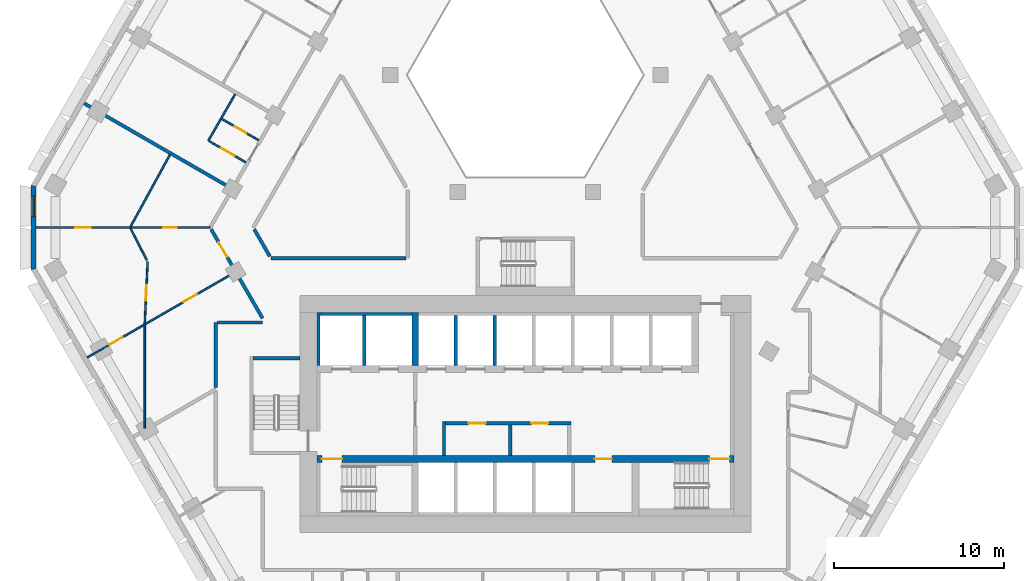
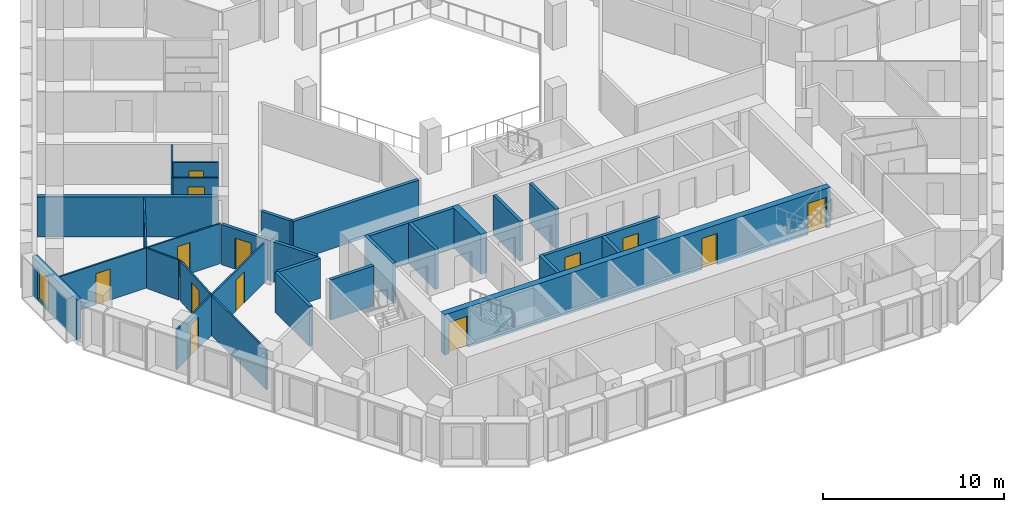
# One storey, part 4 of 15: 27 walls, 13 doors, 1 window, 14 openings.
"""IFC4 building model written with IfcOpenShell, lengths in metres."""

from ifc_helpers import new_model, si_unit, direction, frame, frame_2d, origin, place, context, subcontext, project, spatial, polyline, rectangle, outline, extrude, material, layer, layer_set, type_object, element, fill, save


model = new_model("IFC4")

# Units and contexts
model_context = context("Model", 3, precision=1e-05, world=origin(), true_north=direction((0.0, 1.0)))
body_context = subcontext(model_context, "Body", "Model", "MODEL_VIEW")
ifc_project = project(units=[si_unit("LENGTHUNIT", "METRE"), si_unit("AREAUNIT", "SQUARE_METRE"), si_unit("VOLUMEUNIT", "CUBIC_METRE"), si_unit("PLANEANGLEUNIT", "RADIAN"), si_unit("MASSUNIT", "GRAM", prefix="KILO")], contexts=[model_context])

# Site, building, storey
site_placement = place(None, origin())
site = spatial("IfcSite", under=ifc_project, at=site_placement, CompositionType="ELEMENT")
building_placement = place(site_placement, origin())
building = spatial("IfcBuilding", under=site, at=building_placement, Name="Beryl Residences", CompositionType="ELEMENT")
storey_placement = place(building_placement, frame((0.0, 0.0, 72.0)))
storey = spatial("IfcBuildingStorey", under=building, at=storey_placement, Name="L21", CompositionType="ELEMENT", Elevation=72.0)

# Wall, opening, window
ifc_material_1 = material(Name="Composite metal panel with mineral wool insulation")
ifc_layer_1 = layer(ifc_material_1, 0.300048828125)
ifc_layer_set_1 = layer_set([ifc_layer_1], Name="ES1 pale metal composite panel wall 300 mm")
wall_type_1 = type_object("IfcWallType", Name="ES1 pale metal composite panel wall 300 mm", PredefinedType="SOLIDWALL", material=ifc_layer_set_1)
wall_1_placement = place(storey_placement, frame((-29.007080078125, 1.5, 0.0), z_axis=(0.0, 0.0, 1.0), x_axis=(0.0, -1.0, 0.0)))
wall_1 = element("IfcWall", 1, at=wall_1_placement, inside=storey, type_object=wall_type_1, Name="ES1 external wall L21 NW-SW", PredefinedType="SOLIDWALL", context=body_context, shape_type="SweptSolid", body=[
    extrude(outline(polyline([(0.0, -0.14990234375), (5.0, -0.14990234375), (4.919677734375, 0.14990234375), (0.080322265625, 0.14990234375), (0.0, -0.14990234375)])), origin(), (0.0, 0.0, 1.0), 2.699951171875),
])
opening_1_placement = place(wall_1_placement, frame((0.64990234375, 0.0, 0.14990234375)))
opening_1 = element("IfcOpeningElement", 2, at=opening_1_placement, cuts=wall_1, Name="Opening W2", PredefinedType="OPENING", context=body_context, shape_type="SweptSolid", body=[
    extrude(rectangle(XDim=1.199951171875, YDim=2.10009765625, at=frame_2d((0.60009765625, 1.050048828125))), frame((0.0, 0.159912109375, 0.0), z_axis=(0.0, -1.0, 0.0), x_axis=(1.0, 0.0, 0.0)), (0.0, 0.0, 1.0), 0.320068359375),
])
ifc_material_2 = material(Name="Aluminium and clear glass", Category="aluminium")
window_type = type_object("IfcWindowType", Name="W2 chamfer window 1200 x 2100 mm", PartitioningType="SINGLE_PANEL", PredefinedType="WINDOW", material=ifc_material_2)
window_placement = place(opening_1_placement, origin())
window = element("IfcWindow", 3, at=window_placement, inside=storey, type_object=window_type, Name="W2 window L21 NW-SW 1", OverallHeight=2.10009765625, OverallWidth=1.199951171875, PartitioningType="SINGLE_PANEL", PredefinedType="WINDOW", context=body_context, shape_type="SweptSolid", body=[
    extrude(rectangle(XDim=1.199951171875, YDim=2.10009765625, at=frame_2d((0.60009765625, 1.050048828125))), frame((0.0, 0.030029296875, 0.0), z_axis=(0.0, -1.0, 0.0), x_axis=(1.0, 0.0, 0.0)), (0.0, 0.0, 1.0), 0.06005859375),
])
fill(opening_1, window)

# Wall
ifc_material_3 = material(Name="Gypsum board partition on steel studs", Category="steel")
ifc_layer_2 = layer(ifc_material_3, 0.10009765625)
ifc_layer_set_2 = layer_set([ifc_layer_2], Name="PT1 partition 100 mm gypsum board on steel studs")
wall_type_2 = type_object("IfcWallType", Name="PT1 partition 100 mm gypsum board on steel studs", PredefinedType="PARTITIONING", material=ifc_layer_set_2)
wall_2_placement = place(storey_placement, frame((-23.2890625, -1.053955078125, 0.0), z_axis=(0.0, 0.0, 1.0), x_axis=(0.458226112305, -0.888835659726, 0.0)))
element("IfcWall", 4, at=wall_2_placement, inside=storey, type_object=wall_type_2, Name="Wall PT1 L21 009", PredefinedType="PARTITIONING", context=body_context, shape_type="SweptSolid", body=[
    extrude(rectangle(XDim=2.10400390625, YDim=0.10009765625, at=frame_2d((1.052001953125, 0.0))), origin(), (0.0, 0.0, 1.0), 2.699951171875),
])

# Wall, opening, door
wall_3_placement = place(storey_placement, frame((-17.905029296875, 5.406982421875, 0.0), z_axis=(0.0, 0.0, 1.0), x_axis=(0.866080321209, -0.499904868165, 0.0)))
wall_3 = element("IfcWall", 5, at=wall_3_placement, inside=storey, type_object=wall_type_2, Name="Wall PT1 L21 019", PredefinedType="PARTITIONING", context=body_context, shape_type="SweptSolid", body=[
    extrude(rectangle(XDim=2.51025390625, YDim=0.10009765625, at=frame_2d((1.255126953125, 0.0))), origin(), (0.0, 0.0, 1.0), 2.699951171875),
])
opening_2_placement = place(wall_3_placement, frame((0.8798828125, 0.0, 0.0)))
opening_2 = element("IfcOpeningElement", 6, at=opening_2_placement, cuts=wall_3, Name="Opening D0839", PredefinedType="OPENING", context=body_context, shape_type="SweptSolid", body=[
    extrude(rectangle(XDim=0.800048828125, YDim=2.10009765625, at=frame_2d((0.39990234375, 1.050048828125))), frame((0.0, 0.06005859375, 0.0), z_axis=(0.0, -1.0, 0.0), x_axis=(1.0, 0.0, 0.0)), (0.0, 0.0, 1.0), 0.1201171875),
])
ifc_material_4 = material(Name="Timber door leaf", Category="wood")
door_type_1 = type_object("IfcDoorType", Name="D3 bathroom door 800 x 2100 mm", OperationType="SINGLE_SWING_LEFT", PredefinedType="DOOR", material=ifc_material_4)
door_1_placement = place(opening_2_placement, origin())
door_1 = element("IfcDoor", 7, at=door_1_placement, inside=storey, type_object=door_type_1, Name="Door D0839 L21 001", OperationType="SINGLE_SWING_LEFT", OverallHeight=2.10009765625, OverallWidth=0.800048828125, PredefinedType="DOOR", context=body_context, shape_type="SweptSolid", body=[
    extrude(rectangle(XDim=0.800048828125, YDim=2.10009765625, at=frame_2d((0.39990234375, 1.050048828125))), frame((0.0, 0.02490234375, 0.0), z_axis=(0.0, -1.0, 0.0), x_axis=(1.0, 0.0, 0.0)), (0.0, 0.0, 1.0), 0.050048828125),
])
fill(opening_2, door_1)

wall_4_placement = place(storey_placement, frame((-18.657958984375, 4.10205078125, 0.0), z_axis=(0.0, 0.0, 1.0), x_axis=(0.865916579361, -0.500188442078, 0.0)))
wall_4 = element("IfcWall", 8, at=wall_4_placement, inside=storey, type_object=wall_type_2, Name="Wall PT1 L21 021", PredefinedType="PARTITIONING", context=body_context, shape_type="SweptSolid", body=[
    extrude(rectangle(XDim=2.50927734375, YDim=0.10009765625, at=frame_2d((1.254638671875, 0.0))), origin(), (0.0, 0.0, 1.0), 2.699951171875),
])
opening_3_placement = place(wall_4_placement, frame((0.8291015625, 0.0, 0.0)))
opening_3 = element("IfcOpeningElement", 9, at=opening_3_placement, cuts=wall_4, Name="Opening D0838", PredefinedType="OPENING", context=body_context, shape_type="SweptSolid", body=[
    extrude(rectangle(XDim=0.89990234375, YDim=2.10009765625, at=frame_2d((0.449951171875, 1.050048828125))), frame((0.0, 0.06005859375, 0.0), z_axis=(0.0, -1.0, 0.0), x_axis=(1.0, 0.0, 0.0)), (0.0, 0.0, 1.0), 0.1201171875),
])
ifc_material_5 = material(Name="Timber door leaf", Category="wood")
door_type_2 = type_object("IfcDoorType", Name="D2 room door 900 x 2100 mm", OperationType="SINGLE_SWING_LEFT", PredefinedType="DOOR", material=ifc_material_5)
door_2_placement = place(opening_3_placement, origin())
door_2 = element("IfcDoor", 10, at=door_2_placement, inside=storey, type_object=door_type_2, Name="Door D0838 L21 001", OperationType="SINGLE_SWING_RIGHT", OverallHeight=2.10009765625, OverallWidth=0.89990234375, PredefinedType="DOOR", context=body_context, shape_type="SweptSolid", body=[
    extrude(rectangle(XDim=0.89990234375, YDim=2.10009765625, at=frame_2d((0.449951171875, 1.050048828125))), frame((0.0, 0.02490234375, 0.0), z_axis=(0.0, -1.0, 0.0), x_axis=(1.0, 0.0, 0.0)), (0.0, 0.0, 1.0), 0.050048828125),
])
fill(opening_3, door_2)

# Wall, openings, doors
wall_5_placement = place(storey_placement, frame((-28.85693359375, -1.0009765625, 0.0), z_axis=(0.0, 0.0, 1.0), x_axis=(1.0, 0.0, 0.0)))
wall_5 = element("IfcWall", 11, at=wall_5_placement, inside=storey, type_object=wall_type_2, Name="Wall PT1 L21 027", PredefinedType="PARTITIONING", context=body_context, shape_type="SweptSolid", body=[
    extrude(rectangle(XDim=10.265869140625, YDim=0.10009765625, at=frame_2d((5.1328125, 0.0))), origin(), (0.0, 0.0, 1.0), 2.699951171875),
])
opening_4_placement = place(wall_5_placement, frame((7.5029296875, 0.0, 0.0)))
opening_4 = element("IfcOpeningElement", 12, at=opening_4_placement, cuts=wall_5, Name="Opening D0842", PredefinedType="OPENING", context=body_context, shape_type="SweptSolid", body=[
    extrude(rectangle(XDim=0.800048828125, YDim=2.10009765625, at=frame_2d((0.39990234375, 1.050048828125))), frame((0.0, 0.06005859375, 0.0), z_axis=(0.0, -1.0, 0.0), x_axis=(1.0, 0.0, 0.0)), (0.0, 0.0, 1.0), 0.1201171875),
])
opening_5_placement = place(wall_5_placement, frame((2.320068359375, 0.0, 0.0)))
opening_5 = element("IfcOpeningElement", 13, at=opening_5_placement, cuts=wall_5, Name="Opening D0844", PredefinedType="OPENING", context=body_context, shape_type="SweptSolid", body=[
    extrude(rectangle(XDim=0.89990234375, YDim=2.10009765625, at=frame_2d((0.449951171875, 1.050048828125))), frame((0.0, 0.06005859375, 0.0), z_axis=(0.0, -1.0, 0.0), x_axis=(1.0, 0.0, 0.0)), (0.0, 0.0, 1.0), 0.1201171875),
])
door_3_placement = place(opening_5_placement, origin())
door_3 = element("IfcDoor", 14, at=door_3_placement, inside=storey, type_object=door_type_2, Name="Door D0844 L21 001", OperationType="SINGLE_SWING_RIGHT", OverallHeight=2.10009765625, OverallWidth=0.89990234375, PredefinedType="DOOR", context=body_context, shape_type="SweptSolid", body=[
    extrude(rectangle(XDim=0.89990234375, YDim=2.10009765625, at=frame_2d((0.449951171875, 1.050048828125))), frame((0.0, 0.02490234375, 0.0), z_axis=(0.0, -1.0, 0.0), x_axis=(1.0, 0.0, 0.0)), (0.0, 0.0, 1.0), 0.050048828125),
])
fill(opening_5, door_3)
door_4_placement = place(opening_4_placement, origin())
door_4 = element("IfcDoor", 15, at=door_4_placement, inside=storey, type_object=door_type_1, Name="Door D0842 L21 001", OperationType="SINGLE_SWING_RIGHT", OverallHeight=2.10009765625, OverallWidth=0.800048828125, PredefinedType="DOOR", context=body_context, shape_type="SweptSolid", body=[
    extrude(rectangle(XDim=0.800048828125, YDim=2.10009765625, at=frame_2d((0.39990234375, 1.050048828125))), frame((0.0, 0.02490234375, 0.0), z_axis=(0.0, -1.0, 0.0), x_axis=(1.0, 0.0, 0.0)), (0.0, 0.0, 1.0), 0.050048828125),
])
fill(opening_4, door_4)

# Walls
wall_6_placement = place(storey_placement, frame((-18.700927734375, 4.1279296875, 0.0), z_axis=(0.0, 0.0, 1.0), x_axis=(0.500023029176, 0.866012107475, 0.0)))
element("IfcWall", 16, at=wall_6_placement, inside=storey, type_object=wall_type_2, Name="Wall PT1 L21 035", PredefinedType="PARTITIONING", context=body_context, shape_type="SweptSolid", body=[
    extrude(rectangle(XDim=3.163818359375, YDim=0.10009765625, at=frame_2d((1.58203125, 0.0))), origin(), (0.0, 0.0, 1.0), 2.699951171875),
])
wall_7_placement = place(storey_placement, frame((-23.2890625, -0.950927734375, 0.0), z_axis=(0.0, 0.0, 1.0), x_axis=(0.481164463081, 0.876630343684, 0.0)))
element("IfcWall", 17, at=wall_7_placement, inside=storey, type_object=wall_type_2, Name="Wall PT1 L21 039", PredefinedType="PARTITIONING", context=body_context, shape_type="SweptSolid", body=[
    extrude(rectangle(XDim=4.83447265625, YDim=0.10009765625, at=frame_2d((2.417236328125, 0.0))), origin(), (0.0, 0.0, 1.0), 2.699951171875),
])

# Wall, opening, door
wall_8_placement = place(storey_placement, frame((-22.447021484375, -6.65087890625, 0.0), z_axis=(0.0, 0.0, 1.0), x_axis=(0.046122262393, 0.998935802197, 0.0)))
wall_8 = element("IfcWall", 18, at=wall_8_placement, inside=storey, type_object=wall_type_2, Name="Wall PT1 L21 045", PredefinedType="PARTITIONING", context=body_context, shape_type="SweptSolid", body=[
    extrude(rectangle(XDim=3.641845703125, YDim=0.10009765625, at=frame_2d((1.82080078125, 0.0))), origin(), (0.0, 0.0, 1.0), 2.699951171875),
])
opening_6_placement = place(wall_8_placement, frame((1.341064453125, 0.0, 0.0)))
opening_6 = element("IfcOpeningElement", 19, at=opening_6_placement, cuts=wall_8, Name="Opening D0843", PredefinedType="OPENING", context=body_context, shape_type="SweptSolid", body=[
    extrude(rectangle(XDim=0.89990234375, YDim=2.10009765625, at=frame_2d((0.449951171875, 1.050048828125))), frame((0.0, 0.06005859375, 0.0), z_axis=(0.0, -1.0, 0.0), x_axis=(1.0, 0.0, 0.0)), (0.0, 0.0, 1.0), 0.1201171875),
])
door_5_placement = place(opening_6_placement, origin())
door_5 = element("IfcDoor", 20, at=door_5_placement, inside=storey, type_object=door_type_2, Name="Door D0843 L21 001", OperationType="SINGLE_SWING_LEFT", OverallHeight=2.10009765625, OverallWidth=0.89990234375, PredefinedType="DOOR", context=body_context, shape_type="SweptSolid", body=[
    extrude(rectangle(XDim=0.89990234375, YDim=2.10009765625, at=frame_2d((0.449951171875, 1.050048828125))), frame((0.0, 0.02490234375, 0.0), z_axis=(0.0, -1.0, 0.0), x_axis=(1.0, 0.0, 0.0)), (0.0, 0.0, 1.0), 0.050048828125),
])
fill(opening_6, door_5)

# Wall
wall_9_placement = place(storey_placement, frame((-22.449951171875, -12.845947265625, 0.0), z_axis=(0.0, 0.0, 1.0), x_axis=(0.0, 1.0, 0.0)))
element("IfcWall", 21, at=wall_9_placement, inside=storey, type_object=wall_type_2, Name="Wall PT1 L21 059", PredefinedType="PARTITIONING", context=body_context, shape_type="SweptSolid", body=[
    extrude(rectangle(XDim=6.077880859375, YDim=0.10009765625, at=frame_2d((3.0390625, 0.0))), origin(), (0.0, 0.0, 1.0), 2.699951171875),
])

# Wall, openings, doors
wall_10_placement = place(storey_placement, frame((-25.830078125, -8.662109375, 0.0), z_axis=(0.0, 0.0, 1.0), x_axis=(0.866022959057, 0.500004234368, 0.0)))
wall_10 = element("IfcWall", 22, at=wall_10_placement, inside=storey, type_object=wall_type_2, Name="Wall PT1 L21 065", PredefinedType="PARTITIONING", context=body_context, shape_type="SweptSolid", body=[
    extrude(rectangle(XDim=10.0, YDim=0.10009765625, at=frame_2d((5.0, 0.0))), origin(), (0.0, 0.0, 1.0), 2.699951171875),
])
opening_7_placement = place(wall_10_placement, frame((6.551025390625, 0.0, 0.0)))
opening_7 = element("IfcOpeningElement", 23, at=opening_7_placement, cuts=wall_10, Name="Opening D0841", PredefinedType="OPENING", context=body_context, shape_type="SweptSolid", body=[
    extrude(rectangle(XDim=0.89990234375, YDim=2.10009765625, at=frame_2d((0.449951171875, 1.050048828125))), frame((0.0, 0.06005859375, 0.0), z_axis=(0.0, -1.0, 0.0), x_axis=(1.0, 0.0, 0.0)), (0.0, 0.0, 1.0), 0.1201171875),
])
opening_8_placement = place(wall_10_placement, frame((1.5009765625, 0.0, 0.0)))
opening_8 = element("IfcOpeningElement", 24, at=opening_8_placement, cuts=wall_10, Name="Opening D0845", PredefinedType="OPENING", context=body_context, shape_type="SweptSolid", body=[
    extrude(rectangle(XDim=0.89990234375, YDim=2.10009765625, at=frame_2d((0.449951171875, 1.050048828125))), frame((0.0, 0.06005859375, 0.0), z_axis=(0.0, -1.0, 0.0), x_axis=(1.0, 0.0, 0.0)), (0.0, 0.0, 1.0), 0.1201171875),
])
door_6_placement = place(opening_7_placement, origin())
door_6 = element("IfcDoor", 25, at=door_6_placement, inside=storey, type_object=door_type_2, Name="Door D0841 L21 001", OperationType="SINGLE_SWING_LEFT", OverallHeight=2.10009765625, OverallWidth=0.89990234375, PredefinedType="DOOR", context=body_context, shape_type="SweptSolid", body=[
    extrude(rectangle(XDim=0.89990234375, YDim=2.10009765625, at=frame_2d((0.449951171875, 1.050048828125))), frame((0.0, 0.02490234375, 0.0), z_axis=(0.0, -1.0, 0.0), x_axis=(1.0, 0.0, 0.0)), (0.0, 0.0, 1.0), 0.050048828125),
])
fill(opening_7, door_6)
door_7_placement = place(opening_8_placement, origin())
door_7 = element("IfcDoor", 26, at=door_7_placement, inside=storey, type_object=door_type_2, Name="Door D0845 L21 001", OperationType="SINGLE_SWING_LEFT", OverallHeight=2.10009765625, OverallWidth=0.89990234375, PredefinedType="DOOR", context=body_context, shape_type="SweptSolid", body=[
    extrude(rectangle(XDim=0.89990234375, YDim=2.10009765625, at=frame_2d((0.449951171875, 1.050048828125))), frame((0.0, 0.02490234375, 0.0), z_axis=(0.0, -1.0, 0.0), x_axis=(1.0, 0.0, 0.0)), (0.0, 0.0, 1.0), 0.050048828125),
])
fill(opening_8, door_7)

# Wall
ifc_material_6 = material(Name="Concrete masonry", Category="masonry")
ifc_layer_3 = layer(ifc_material_6, 0.199951171875)
ifc_layer_set_3 = layer_set([ifc_layer_3], Name="PT13 lobby wall 200 mm")
wall_type_3 = type_object("IfcWallType", Name="PT13 lobby wall 200 mm", PredefinedType="PARTITIONING", material=ifc_layer_set_3)
wall_11_placement = place(storey_placement, frame((-4.800048828125, -14.449951171875, 0.0), z_axis=(0.0, 0.0, 1.0), x_axis=(0.0, 1.0, 0.0)))
element("IfcWall", 27, at=wall_11_placement, inside=storey, type_object=wall_type_3, Name="Lobby wall 14", PredefinedType="PARTITIONING", context=body_context, shape_type="SweptSolid", body=[
    extrude(rectangle(XDim=2.0, YDim=0.199951171875, at=frame_2d((1.0, 0.0))), origin(), (0.0, 0.0, 1.0), 2.699951171875),
])

# Wall, openings, doors
wall_12_placement = place(storey_placement, frame((-4.699951171875, -12.550048828125, 0.0), z_axis=(0.0, 0.0, 1.0), x_axis=(1.0, 0.0, 0.0)))
wall_12 = element("IfcWall", 28, at=wall_12_placement, inside=storey, type_object=wall_type_3, Name="Lobby wall 15", PredefinedType="PARTITIONING", context=body_context, shape_type="SweptSolid", body=[
    extrude(rectangle(XDim=7.39990234375, YDim=0.199951171875, at=frame_2d((3.699951171875, 0.0))), origin(), (0.0, 0.0, 1.0), 2.699951171875),
])
opening_9_placement = place(wall_12_placement, frame((2.35009765625, 0.0, 0.0), z_axis=(0.0, 0.0, 1.0), x_axis=(-1.0, 0.0, 0.0)))
opening_9 = element("IfcOpeningElement", 29, at=opening_9_placement, cuts=wall_12, Name="Opening CD-D-A1", PredefinedType="OPENING", context=body_context, shape_type="SweptSolid", body=[
    extrude(rectangle(XDim=1.0, YDim=2.10009765625, at=frame_2d((0.5, 1.050048828125))), frame((0.0, 0.10986328125, 0.0), z_axis=(0.0, -1.0, 0.0), x_axis=(1.0, 0.0, 0.0)), (0.0, 0.0, 1.0), 0.219970703125),
])
opening_10_placement = place(wall_12_placement, frame((6.050048828125, 0.0, 0.0), z_axis=(0.0, 0.0, 1.0), x_axis=(-1.0, 0.0, 0.0)))
opening_10 = element("IfcOpeningElement", 30, at=opening_10_placement, cuts=wall_12, Name="Opening CD-D-A2", PredefinedType="OPENING", context=body_context, shape_type="SweptSolid", body=[
    extrude(rectangle(XDim=1.0, YDim=2.10009765625, at=frame_2d((0.5, 1.050048828125))), frame((0.0, 0.10986328125, 0.0), z_axis=(0.0, -1.0, 0.0), x_axis=(1.0, 0.0, 0.0)), (0.0, 0.0, 1.0), 0.219970703125),
])
ifc_material_7 = material(Name="Steel door leaf in steel frame", Category="steel")
door_type_3 = type_object("IfcDoorType", Name="D18 service room door 1000 x 2100 mm", OperationType="SINGLE_SWING_LEFT", PredefinedType="DOOR", material=ifc_material_7)
door_8_placement = place(opening_9_placement, origin())
door_8 = element("IfcDoor", 31, at=door_8_placement, inside=storey, type_object=door_type_3, Name="Door CD-D-A1 L21 001", OperationType="SINGLE_SWING_RIGHT", OverallHeight=2.10009765625, OverallWidth=1.0, PredefinedType="DOOR", context=body_context, shape_type="SweptSolid", body=[
    extrude(rectangle(XDim=1.0, YDim=2.10009765625, at=frame_2d((0.5, 1.050048828125))), frame((0.0, 0.02490234375, 0.0), z_axis=(0.0, -1.0, 0.0), x_axis=(1.0, 0.0, 0.0)), (0.0, 0.0, 1.0), 0.050048828125),
])
fill(opening_9, door_8)
door_9_placement = place(opening_10_placement, origin())
door_9 = element("IfcDoor", 32, at=door_9_placement, inside=storey, type_object=door_type_3, Name="Door CD-D-A2 L21 001", OperationType="SINGLE_SWING_LEFT", OverallHeight=2.10009765625, OverallWidth=1.0, PredefinedType="DOOR", context=body_context, shape_type="SweptSolid", body=[
    extrude(rectangle(XDim=1.0, YDim=2.10009765625, at=frame_2d((0.5, 1.050048828125))), frame((0.0, 0.02490234375, 0.0), z_axis=(0.0, -1.0, 0.0), x_axis=(1.0, 0.0, 0.0)), (0.0, 0.0, 1.0), 0.050048828125),
])
fill(opening_10, door_9)

# Walls
ifc_material_8 = material(Name="Acoustic double stud gypsum board wall")
ifc_layer_4 = layer(ifc_material_8, 0.199951171875)
ifc_layer_set_4 = layer_set([ifc_layer_4], Name="PT3 party wall 200 mm acoustic double stud")
wall_type_4 = type_object("IfcWallType", Name="PT3 party wall 200 mm acoustic double stud", PredefinedType="PARTITIONING", material=ifc_layer_set_4)
wall_13_placement = place(storey_placement, frame((-26.02490234375, 6.324951171875, 0.0), z_axis=(0.0, 0.0, 1.0), x_axis=(0.866041268327, -0.499972520799, 0.0)))
element("IfcWall", 33, at=wall_13_placement, inside=storey, type_object=wall_type_4, Name="Wall PT3 L21 003", PredefinedType="PARTITIONING", context=body_context, shape_type="SweptSolid", body=[
    extrude(rectangle(XDim=10.00048828125, YDim=0.199951171875, at=frame_2d((5.000244140625, 0.0))), origin(), (0.0, 0.0, 1.0), 2.699951171875),
])
ifc_material_9 = material(Name="Double stud gypsum board wall")
ifc_layer_5 = layer(ifc_material_9, 0.199951171875)
ifc_layer_set_5 = layer_set([ifc_layer_5], Name="PT4 corridor wall 200 mm double stud")
wall_type_5 = type_object("IfcWallType", Name="PT4 corridor wall 200 mm double stud", PredefinedType="PARTITIONING", material=ifc_layer_set_5)
wall_14_placement = place(storey_placement, frame((-15.992919921875, -1.10107421875, 0.0), z_axis=(0.0, 0.0, 1.0), x_axis=(0.499894174133, -0.866086493757, 0.0)))
element("IfcWall", 34, at=wall_14_placement, inside=storey, type_object=wall_type_5, Name="Wall PT4 L21 002", PredefinedType="PARTITIONING", context=body_context, shape_type="SweptSolid", body=[
    extrude(rectangle(XDim=1.84619140625, YDim=0.199951171875, at=frame_2d((0.923095703125, 0.0))), origin(), (0.0, 0.0, 1.0), 2.699951171875),
])

# Wall, opening, door
wall_15_placement = place(storey_placement, frame((-18.532958984375, -1.10107421875, 0.0), z_axis=(0.0, 0.0, 1.0), x_axis=(0.500022085096, -0.866012652573, 0.0)))
wall_15 = element("IfcWall", 35, at=wall_15_placement, inside=storey, type_object=wall_type_5, Name="Wall PT4 L21 003", PredefinedType="PARTITIONING", context=body_context, shape_type="SweptSolid", body=[
    extrude(rectangle(XDim=6.065673828125, YDim=0.199951171875, at=frame_2d((3.03271484375, 0.0))), origin(), (0.0, 0.0, 1.0), 2.699951171875),
])
opening_11_placement = place(wall_15_placement, frame((0.89208984375, 0.0, 0.0)))
opening_11 = element("IfcOpeningElement", 36, at=opening_11_placement, cuts=wall_15, Name="Opening D0840", PredefinedType="OPENING", context=body_context, shape_type="SweptSolid", body=[
    extrude(rectangle(XDim=1.0, YDim=2.10009765625, at=frame_2d((0.5, 1.050048828125))), frame((0.0, 0.10986328125, 0.0), z_axis=(0.0, -1.0, 0.0), x_axis=(1.0, 0.0, 0.0)), (0.0, 0.0, 1.0), 0.219970703125),
])
ifc_material_10 = material(Name="Timber door leaf", Category="wood")
door_type_4 = type_object("IfcDoorType", Name="D1 flat entrance door 1000 x 2100 mm", OperationType="SINGLE_SWING_LEFT", PredefinedType="DOOR", material=ifc_material_10)
door_10_placement = place(opening_11_placement, origin())
door_10 = element("IfcDoor", 37, at=door_10_placement, inside=storey, type_object=door_type_4, Name="Door D0840 L21 001", OperationType="SINGLE_SWING_RIGHT", OverallHeight=2.10009765625, OverallWidth=1.0, PredefinedType="DOOR", context=body_context, shape_type="SweptSolid", body=[
    extrude(rectangle(XDim=1.0, YDim=2.10009765625, at=frame_2d((0.5, 1.050048828125))), frame((0.0, 0.02490234375, 0.0), z_axis=(0.0, -1.0, 0.0), x_axis=(1.0, 0.0, 0.0)), (0.0, 0.0, 1.0), 0.050048828125),
])
fill(opening_11, door_10)

# Walls
wall_16_placement = place(storey_placement, frame((-18.14990234375, -6.60009765625, 0.0), z_axis=(0.0, 0.0, 1.0), x_axis=(1.0, 0.0, 0.0)))
element("IfcWall", 38, at=wall_16_placement, inside=storey, type_object=wall_type_5, Name="Wall PT4 L21 014", PredefinedType="PARTITIONING", context=body_context, shape_type="SweptSolid", body=[
    extrude(rectangle(XDim=2.64892578125, YDim=0.199951171875, at=frame_2d((1.324462890625, 0.0))), origin(), (0.0, 0.0, 1.0), 2.699951171875),
])
wall_17_placement = place(storey_placement, frame((-15.010986328125, -2.800048828125, 0.0), z_axis=(0.0, 0.0, 1.0), x_axis=(1.0, 0.0, 0.0)))
element("IfcWall", 39, at=wall_17_placement, inside=storey, type_object=wall_type_5, Name="Wall PT4 L21 018", PredefinedType="PARTITIONING", context=body_context, shape_type="SweptSolid", body=[
    extrude(rectangle(XDim=7.98193359375, YDim=0.199951171875, at=frame_2d((3.990966796875, 0.0))), origin(), (0.0, 0.0, 1.0), 2.699951171875),
])
wall_18_placement = place(storey_placement, frame((-18.25, -10.4208984375, 0.0), z_axis=(0.0, 0.0, 1.0), x_axis=(0.0, 1.0, 0.0)))
element("IfcWall", 40, at=wall_18_placement, inside=storey, type_object=wall_type_5, Name="Wall PT4 L21 035", PredefinedType="PARTITIONING", context=body_context, shape_type="SweptSolid", body=[
    extrude(rectangle(XDim=3.82080078125, YDim=0.199951171875, at=frame_2d((1.910400390625, 0.0))), origin(), (0.0, 0.0, 1.0), 2.699951171875),
])
ifc_material_11 = material(Name="Concrete C40/50", Category="concrete")
ifc_layer_6 = layer(ifc_material_11, 0.199951171875)
ifc_layer_set_6 = layer_set([ifc_layer_6], Name="PT5 stair enclosure wall 200 mm reinforced concrete C40/50")
wall_type_6 = type_object("IfcWallType", Name="PT5 stair enclosure wall 200 mm reinforced concrete C40/50", PredefinedType="SOLIDWALL", material=ifc_layer_set_6)
wall_19_placement = place(storey_placement, frame((-16.050048828125, -8.699951171875, 0.0), z_axis=(0.0, 0.0, 1.0), x_axis=(1.0, 0.0, 0.0)))
element("IfcWall", 41, at=wall_19_placement, inside=storey, type_object=wall_type_6, Name="Stair wall 03", PredefinedType="SOLIDWALL", context=body_context, shape_type="SweptSolid", body=[
    extrude(rectangle(XDim=2.75, YDim=0.199951171875, at=frame_2d((1.375, 0.0))), origin(), (0.0, 0.0, 1.0), 2.699951171875),
])
ifc_material_12 = material(Name="Concrete C40/50", Category="concrete")
ifc_layer_7 = layer(ifc_material_12, 0.199951171875)
ifc_layer_set_7 = layer_set([ifc_layer_7], Name="PT6 lift shaft wall 200 mm reinforced concrete C40/50")
wall_type_7 = type_object("IfcWallType", Name="PT6 lift shaft wall 200 mm reinforced concrete C40/50", PredefinedType="SOLIDWALL", material=ifc_layer_set_7)
wall_20_placement = place(storey_placement, frame((-12.199951171875, -9.14990234375, 0.0), z_axis=(0.0, 0.0, 1.0), x_axis=(0.0, 1.0, 0.0)))
element("IfcWall", 42, at=wall_20_placement, inside=storey, type_object=wall_type_7, Name="Lift shaft wall 06", PredefinedType="SOLIDWALL", context=body_context, shape_type="SweptSolid", body=[
    extrude(rectangle(XDim=3.14990234375, YDim=0.199951171875, at=frame_2d((1.574951171875, 0.0))), origin(), (0.0, 0.0, 1.0), 2.699951171875),
])
wall_21_placement = place(storey_placement, frame((-12.10009765625, -6.10009765625, 0.0), z_axis=(0.0, 0.0, 1.0), x_axis=(1.0, 0.0, 0.0)))
element("IfcWall", 43, at=wall_21_placement, inside=storey, type_object=wall_type_7, Name="Lift shaft wall 08", PredefinedType="SOLIDWALL", context=body_context, shape_type="SweptSolid", body=[
    extrude(rectangle(XDim=5.400146484375, YDim=0.199951171875, at=frame_2d((2.7001953125, 0.0))), origin(), (0.0, 0.0, 1.0), 2.699951171875),
])
for number, where, z_axis, x_axis, name in (
    (44, (-9.5, -9.14990234375, 0.0), (0.0, 0.0, 1.0), (0.0, 1.0, 0.0), "Lift shaft wall 10"),
    (45, (-4.10009765625, -9.14990234375, 0.0), (0.0, 0.0, 1.0), (0.0, 1.0, 0.0), "Lift shaft wall 17"),
    (46, (-1.800048828125, -9.14990234375, 0.0), (0.0, 0.0, 1.0), (0.0, 1.0, 0.0), "Lift shaft wall 19"),
):
    element("IfcWall", number, at=place(storey_placement, frame(where, z_axis=z_axis, x_axis=x_axis)), inside=storey, type_object=wall_type_7, Name=name, PredefinedType="SOLIDWALL", context=body_context, shape_type="SweptSolid", body=[
        extrude(rectangle(XDim=2.949951171875, YDim=0.199951171875, at=frame_2d((1.47509765625, 0.0))), origin(), (0.0, 0.0, 1.0), 2.699951171875),
    ])
ifc_material_13 = material(Name="Concrete masonry", Category="masonry")
ifc_layer_8 = layer(ifc_material_13, 0.199951171875)
ifc_layer_set_8 = layer_set([ifc_layer_8], Name="PT8-200 service room wall 200 mm")
wall_type_8 = type_object("IfcWallType", Name="PT8-200 service room wall 200 mm", PredefinedType="PARTITIONING", material=ifc_layer_set_8)
wall_22_placement = place(storey_placement, frame((-0.89990234375, -14.449951171875, 0.0), z_axis=(0.0, 0.0, 1.0), x_axis=(0.0, 1.0, 0.0)))
element("IfcWall", 47, at=wall_22_placement, inside=storey, type_object=wall_type_8, Name="Core room wall 20", PredefinedType="PARTITIONING", context=body_context, shape_type="SweptSolid", body=[
    extrude(rectangle(XDim=1.800048828125, YDim=0.199951171875, at=frame_2d((0.89990234375, 0.0))), origin(), (0.0, 0.0, 1.0), 2.699951171875),
])

# Wall, openings, doors
ifc_material_14 = material(Name="Concrete C70/85", Category="concrete")
ifc_layer_9 = layer(ifc_material_14, 0.39990234375)
ifc_layer_set_9 = layer_set([ifc_layer_9], Name="SW7 core internal wall 400 mm C70/85")
wall_type_9 = type_object("IfcWallType", Name="SW7 core internal wall 400 mm C70/85", PredefinedType="SHEAR", material=ifc_layer_set_9)
wall_23_placement = place(storey_placement, frame((-12.300048828125, -14.64990234375, 0.0), z_axis=(0.0, 0.0, 1.0), x_axis=(1.0, 0.0, 0.0)))
wall_23 = element("IfcWall", 48, at=wall_23_placement, inside=storey, type_object=wall_type_9, Name="Core wall SP1 L21", PredefinedType="SHEAR", context=body_context, shape_type="SweptSolid", body=[
    extrude(rectangle(XDim=24.60009765625, YDim=0.39990234375, at=frame_2d((12.300048828125, 0.0))), origin(), (0.0, 0.0, 1.0), 2.699951171875),
])
opening_12_placement = place(wall_23_placement, frame((1.5, 0.0, 0.0), z_axis=(0.0, 0.0, 1.0), x_axis=(-1.0, 0.0, 0.0)))
opening_12 = element("IfcOpeningElement", 49, at=opening_12_placement, cuts=wall_23, Name="Opening SD-1", PredefinedType="OPENING", context=body_context, shape_type="SweptSolid", body=[
    extrude(rectangle(XDim=1.199951171875, YDim=2.10009765625, at=frame_2d((0.60009765625, 1.050048828125))), frame((0.0, 0.2099609375, 0.0), z_axis=(0.0, -1.0, 0.0), x_axis=(1.0, 0.0, 0.0)), (0.0, 0.0, 1.0), 0.419921875),
])
opening_13_placement = place(wall_23_placement, frame((24.349853515625, 0.0, 0.0), z_axis=(0.0, 0.0, 1.0), x_axis=(-1.0, 0.0, 0.0)))
opening_13 = element("IfcOpeningElement", 50, at=opening_13_placement, cuts=wall_23, Name="Opening SD-3", PredefinedType="OPENING", context=body_context, shape_type="SweptSolid", body=[
    extrude(rectangle(XDim=1.199951171875, YDim=2.10009765625, at=frame_2d((0.60009765625, 1.050048828125))), frame((0.0, 0.2099609375, 0.0), z_axis=(0.0, -1.0, 0.0), x_axis=(1.0, 0.0, 0.0)), (0.0, 0.0, 1.0), 0.419921875),
])
opening_14_placement = place(wall_23_placement, frame((17.39990234375, 0.0, 0.0), z_axis=(0.0, 0.0, 1.0), x_axis=(-1.0, 0.0, 0.0)))
opening_14 = element("IfcOpeningElement", 51, at=opening_14_placement, cuts=wall_23, Name="Opening CD-D-S1", PredefinedType="OPENING", context=body_context, shape_type="SweptSolid", body=[
    extrude(rectangle(XDim=1.0, YDim=2.10009765625, at=frame_2d((0.5, 1.050048828125))), frame((0.0, 0.2099609375, 0.0), z_axis=(0.0, -1.0, 0.0), x_axis=(1.0, 0.0, 0.0)), (0.0, 0.0, 1.0), 0.419921875),
])
door_11_placement = place(opening_14_placement, origin())
door_11 = element("IfcDoor", 52, at=door_11_placement, inside=storey, type_object=door_type_3, Name="Door CD-D-S1 L21 001", OperationType="SINGLE_SWING_RIGHT", OverallHeight=2.10009765625, OverallWidth=1.0, PredefinedType="DOOR", context=body_context, shape_type="SweptSolid", body=[
    extrude(rectangle(XDim=1.0, YDim=2.10009765625, at=frame_2d((0.5, 1.050048828125))), frame((0.0, 0.02490234375, 0.0), z_axis=(0.0, -1.0, 0.0), x_axis=(1.0, 0.0, 0.0)), (0.0, 0.0, 1.0), 0.050048828125),
])
fill(opening_14, door_11)
ifc_material_15 = material(Name="Steel door leaf in steel frame", Category="steel")
door_type_5 = type_object("IfcDoorType", Name="D4 stair door 1200 x 2100 mm", OperationType="SINGLE_SWING_LEFT", PredefinedType="DOOR", material=ifc_material_15)
door_12_placement = place(opening_12_placement, origin())
door_12 = element("IfcDoor", 53, at=door_12_placement, inside=storey, type_object=door_type_5, Name="Door SD-1 L21 001", OperationType="SINGLE_SWING_RIGHT", OverallHeight=2.10009765625, OverallWidth=1.199951171875, PredefinedType="DOOR", context=body_context, shape_type="SweptSolid", body=[
    extrude(rectangle(XDim=1.199951171875, YDim=2.10009765625, at=frame_2d((0.60009765625, 1.050048828125))), frame((0.0, 0.02490234375, 0.0), z_axis=(0.0, -1.0, 0.0), x_axis=(1.0, 0.0, 0.0)), (0.0, 0.0, 1.0), 0.050048828125),
])
fill(opening_12, door_12)
door_13_placement = place(opening_13_placement, origin())
door_13 = element("IfcDoor", 54, at=door_13_placement, inside=storey, type_object=door_type_5, Name="Door SD-3 L21 001", OperationType="SINGLE_SWING_RIGHT", OverallHeight=2.10009765625, OverallWidth=1.199951171875, PredefinedType="DOOR", context=body_context, shape_type="SweptSolid", body=[
    extrude(rectangle(XDim=1.199951171875, YDim=2.10009765625, at=frame_2d((0.60009765625, 1.050048828125))), frame((0.0, 0.02490234375, 0.0), z_axis=(0.0, -1.0, 0.0), x_axis=(1.0, 0.0, 0.0)), (0.0, 0.0, 1.0), 0.050048828125),
])
fill(opening_13, door_13)

# Wall
wall_24_placement = place(storey_placement, frame((-6.5, -9.14990234375, 0.0), z_axis=(0.0, 0.0, 1.0), x_axis=(0.0, 1.0, 0.0)))
element("IfcWall", 55, at=wall_24_placement, inside=storey, type_object=wall_type_9, Name="Core wall XN1 L21", PredefinedType="SHEAR", context=body_context, shape_type="SweptSolid", body=[
    extrude(rectangle(XDim=3.14990234375, YDim=0.39990234375, at=frame_2d((1.574951171875, 0.0))), origin(), (0.0, 0.0, 1.0), 2.699951171875),
])

save(model, "model.ifc")
